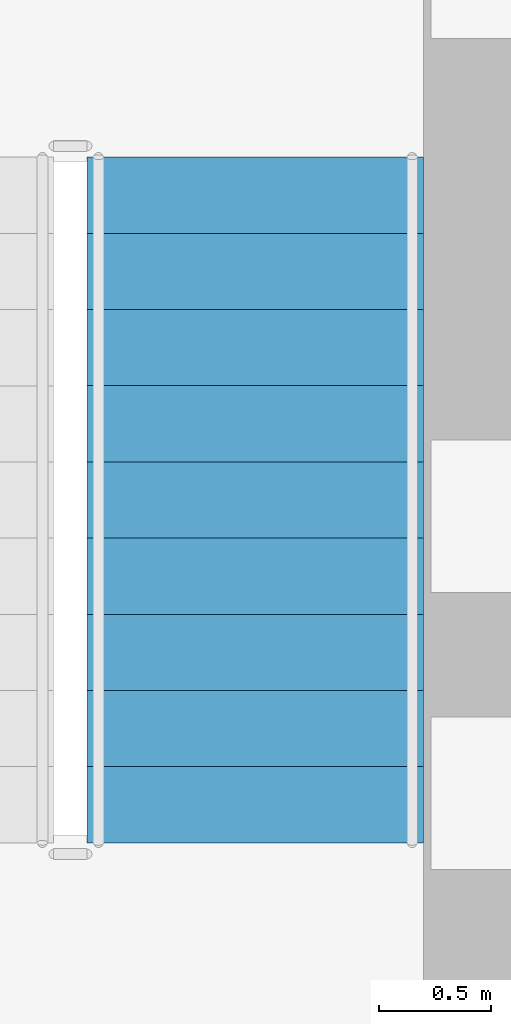
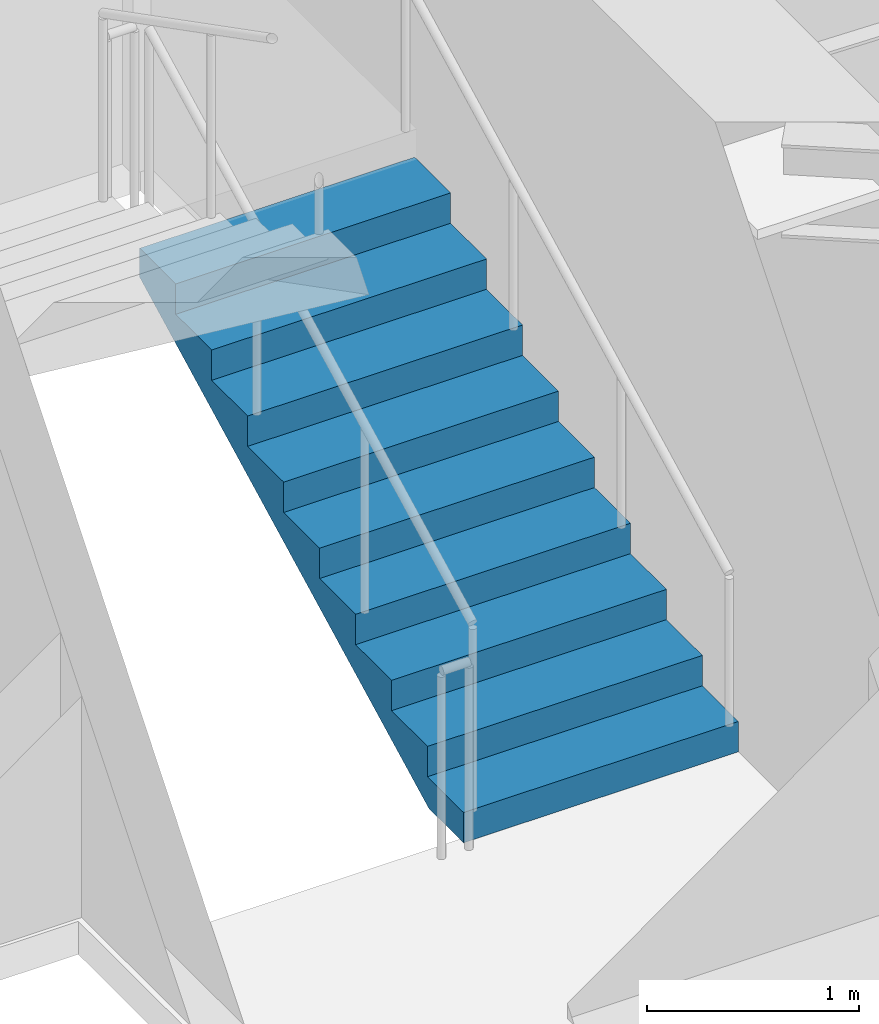
# One storey, part 11 of 15: 1 stair flight, 1 element without a shape of its own.
"""IFC4 building model written with IfcOpenShell, lengths in metres."""

from ifc_helpers import new_model, si_unit, direction, frame, origin, place, context, subcontext, project, spatial, polyline, outline, extrude, material, type_object, element, aggregate, save


model = new_model("IFC4")

# Units and contexts
model_context = context("Model", 3, precision=1e-05, world=origin(), true_north=direction((0.0, 1.0)))
body_context = subcontext(model_context, "Body", "Model", "MODEL_VIEW")
ifc_project = project(units=[si_unit("LENGTHUNIT", "METRE"), si_unit("AREAUNIT", "SQUARE_METRE"), si_unit("VOLUMEUNIT", "CUBIC_METRE"), si_unit("PLANEANGLEUNIT", "RADIAN"), si_unit("MASSUNIT", "GRAM", prefix="KILO")], contexts=[model_context])

# Site, building, storey
site_placement = place(None, origin())
site = spatial("IfcSite", under=ifc_project, at=site_placement, CompositionType="ELEMENT")
building_placement = place(site_placement, origin())
building = spatial("IfcBuilding", under=site, at=building_placement, Name="Keldmark Tower", CompositionType="ELEMENT")
storey_placement = place(building_placement, frame((0.0, 0.0, 110.60009765625)))
storey = spatial("IfcBuildingStorey", under=building, at=storey_placement, Name="L29", CompositionType="ELEMENT", Elevation=110.60009765625)

# Stair, stair flight
ifc_material_1 = material(Name="Concrete C40/50", Category="concrete")
stair_type = type_object("IfcStairType", Name="Precast Concrete Core Exit Stair", PredefinedType="HALF_TURN_STAIR", material=ifc_material_1)
stair_placement = place(storey_placement, origin())
stair = element("IfcStair", 1, at=stair_placement, inside=storey, type_object=stair_type, Name="L29 Exit Stair ST2", PredefinedType="HALF_TURN_STAIR")
ifc_material_2 = material(Name="Concrete C40/50", Category="concrete")
stair_flight_type = type_object("IfcStairFlightType", Name="Precast Concrete Stair Flight 1500 mm", PredefinedType="STRAIGHT", material=ifc_material_2)
stair_flight_placement = place(storey_placement, frame((12.39990234375, 3.35009765625, 0.0), z_axis=(0.0, 0.0, 1.0), x_axis=(0.0, 1.0, 0.0)))
stair_flight = element("IfcStairFlight", 2, at=stair_flight_placement, type_object=stair_flight_type, Name="ST2 flight 1", NumberOfRisers=10, NumberOfTreads=9, PredefinedType="STRAIGHT", RiserHeight=0.175, TreadLength=0.34, context=body_context, shape_type="SweptSolid", body=[
    extrude(outline(polyline([(0.0, 0.0), (0.0, 0.175048828125), (0.340087890625, 0.175048828125), (0.340087890625, 0.35009765625), (0.679931640625, 0.35009765625), (0.679931640625, 0.52490234375), (1.02001953125, 0.52490234375), (1.02001953125, 0.699951171875), (1.360107421875, 0.699951171875), (1.360107421875, 0.875), (1.699951171875, 0.875), (1.699951171875, 1.050048828125), (2.0400390625, 1.050048828125), (2.0400390625, 1.22509765625), (2.3798828125, 1.22509765625), (2.3798828125, 1.39990234375), (2.719970703125, 1.39990234375), (2.719970703125, 1.574951171875), (3.06005859375, 1.574951171875), (3.06005859375, 1.75), (3.06005859375, 1.406494140625), (0.32763671875, 0.0), (0.0, 0.0)])), frame((0.0, 0.75, 0.0), z_axis=(0.0, -1.0, 0.0), x_axis=(1.0, 0.0, 0.0)), (0.0, 0.0, 1.0), 1.5),
])
aggregate(stair, [stair_flight])

save(model, "model.ifc")
